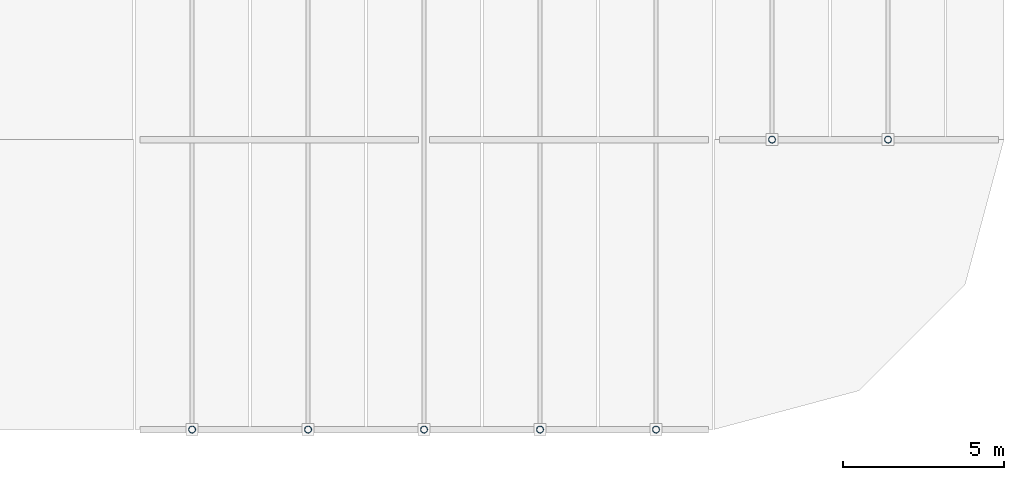
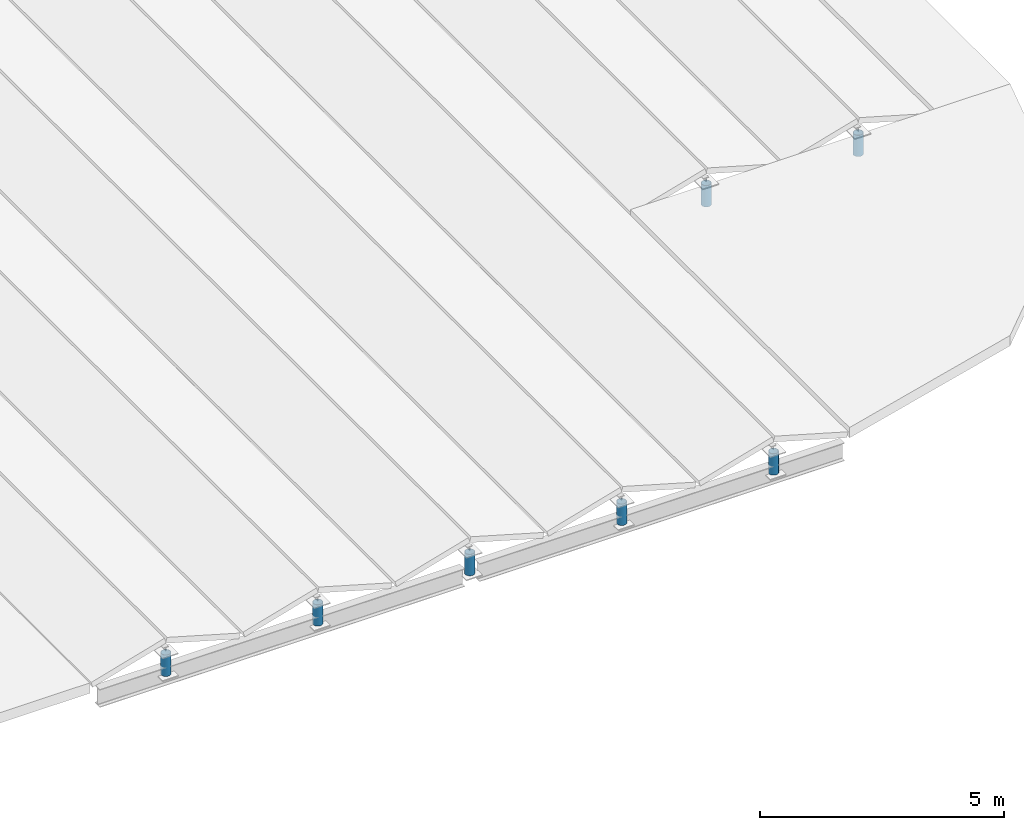
# One storey, part 2 of 6: 7 members.
"""IFC4 building model written with IfcOpenShell, lengths in metres."""

from ifc_helpers import new_model, si_unit, direction, frame, origin, origin_2d, place, context, subcontext, project, spatial, hollow_circle, extrude, material, material_profile, profile_set, type_object, element, save


model = new_model("IFC4")

# Units and contexts
model_context = context("Model", 3, precision=1e-05, world=origin(), true_north=direction((0.0, 1.0)))
body_context = subcontext(model_context, "Body", "Model", "MODEL_VIEW")
ifc_project = project(units=[si_unit("LENGTHUNIT", "METRE"), si_unit("AREAUNIT", "SQUARE_METRE"), si_unit("VOLUMEUNIT", "CUBIC_METRE"), si_unit("PLANEANGLEUNIT", "RADIAN"), si_unit("MASSUNIT", "GRAM", prefix="KILO")], contexts=[model_context])

# Site, building, storey
site_placement = place(None, origin())
site = spatial("IfcSite", under=ifc_project, at=site_placement, CompositionType="ELEMENT")
building_placement = place(site_placement, origin())
building = spatial("IfcBuilding", under=site, at=building_placement, Name="Suzunagisa Mobility Hub", CompositionType="ELEMENT")
storey_placement = place(building_placement, frame((0.0, 0.0, 30.300048828125)))
storey = spatial("IfcBuildingStorey", under=building, at=storey_placement, Name="Roof", CompositionType="ELEMENT", Elevation=30.300048828125)

# Members
ifc_material = material(Name="Steel SN400B", Category="steel")
ifc_material_profile = material_profile(ifc_material, hollow_circle(Radius=0.108154296875, WallThickness=0.00830078125, at=origin_2d()), Name="CHS-216.3x8.2")
ifc_profile_set = profile_set([ifc_material_profile], Name="Steel SN400B")
member_type = type_object("IfcMemberType", Name="Roof Truss and Brace Member MB-14 CHS-216.3x8.2", PredefinedType="POST", material=ifc_profile_set)
for number, where, z_axis, x_axis, name in (
    (1, (154.800048828125, 44.0, -0.394287109375), (0.0, 0.0, 1.0), (1.0, 0.0, 0.0), "Roof Sports Canopy King Post 1-44"),
    (2, (158.39990234375, 44.0, -0.394287109375), (0.0, 0.0, 1.0), (1.0, 0.0, 0.0), "Roof Sports Canopy King Post 2-44"),
    (3, (162.0, 44.0, -0.394287109375), (0.0, 0.0, 1.0), (1.0, 0.0, 0.0), "Roof Sports Canopy King Post 3-44"),
    (4, (165.60009765625, 44.0, -0.394287109375), (0.0, 0.0, 1.0), (1.0, 0.0, 0.0), "Roof Sports Canopy King Post 4-44"),
    (5, (169.199951171875, 44.0, -0.394287109375), (0.0, 0.0, 1.0), (1.0, 0.0, 0.0), "Roof Sports Canopy King Post 5-44"),
    (6, (172.800048828125, 53.0, -0.394287109375), (0.0, 0.0, 1.0), (1.0, 0.0, 0.0), "Roof Sports Canopy King Post 6-53"),
    (7, (176.39990234375, 53.0, -0.394287109375), (0.0, 0.0, 1.0), (1.0, 0.0, 0.0), "Roof Sports Canopy King Post 7-53"),
):
    element("IfcMember", number, at=place(storey_placement, frame(where, z_axis=z_axis, x_axis=x_axis)), inside=storey, type_object=member_type, Name=name, PredefinedType="POST", context=body_context, shape_type="SweptSolid", body=[
        extrude(hollow_circle(Radius=0.108154296875, WallThickness=0.00830078125, at=origin_2d()), origin(), (0.0, 0.0, 1.0), 0.533447265625),
    ])

save(model, "model.ifc")
